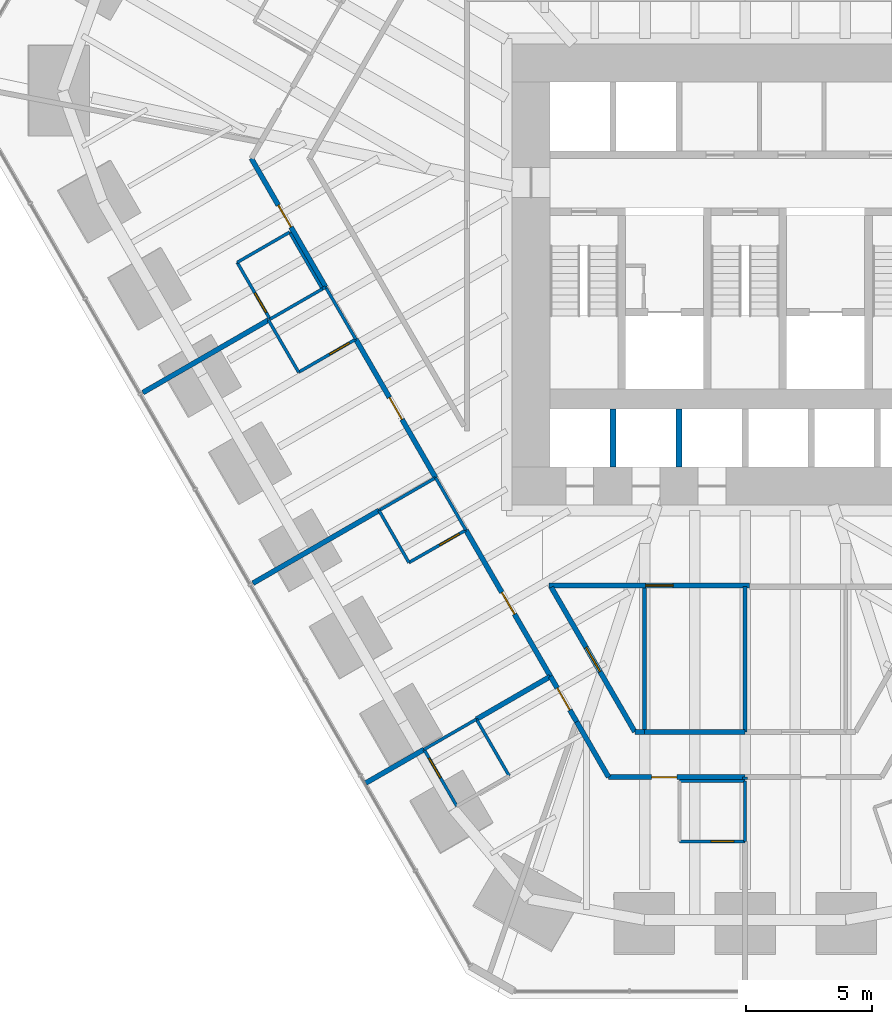
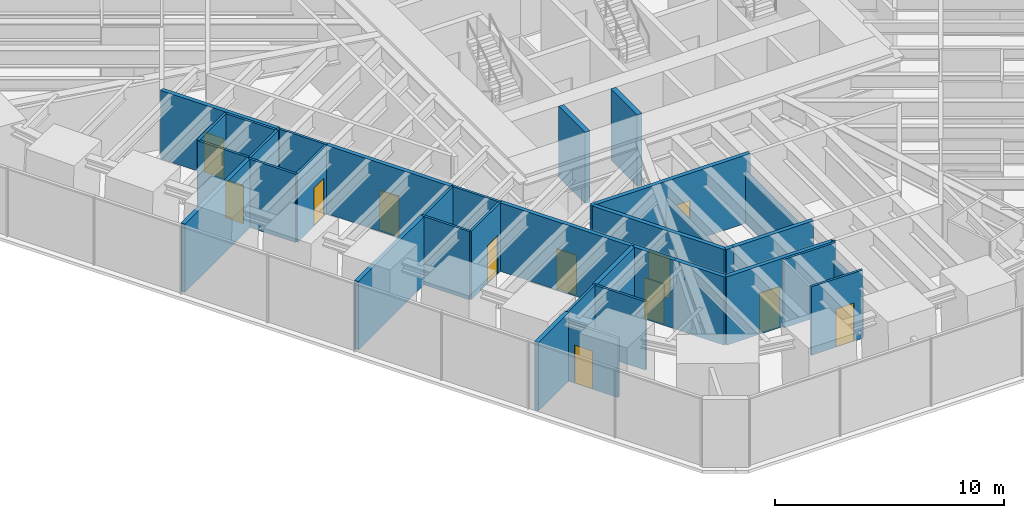
# One storey, part 11 of 17: 37 walls, 12 doors, 12 openings.
"""IFC4 building model written with IfcOpenShell, lengths in metres."""

from ifc_helpers import new_model, si_unit, direction, frame, frame_2d, origin, place, context, subcontext, project, spatial, rectangle, extrude, material, layer, layer_set, type_object, element, fill, save


model = new_model("IFC4")

# Units and contexts
model_context = context("Model", 3, precision=1e-05, world=origin(), true_north=direction((0.0, 1.0)))
body_context = subcontext(model_context, "Body", "Model", "MODEL_VIEW")
ifc_project = project(units=[si_unit("LENGTHUNIT", "METRE"), si_unit("AREAUNIT", "SQUARE_METRE"), si_unit("VOLUMEUNIT", "CUBIC_METRE"), si_unit("PLANEANGLEUNIT", "RADIAN"), si_unit("MASSUNIT", "GRAM", prefix="KILO")], contexts=[model_context])

# Site, building, storey
site_placement = place(None, origin())
site = spatial("IfcSite", under=ifc_project, at=site_placement, CompositionType="ELEMENT")
building_placement = place(site_placement, origin())
building = spatial("IfcBuilding", under=site, at=building_placement, Name="Sandreach Pilgrim Tower", CompositionType="ELEMENT")
storey_placement = place(building_placement, frame((0.0, 0.0, 87.60009765625)))
storey = spatial("IfcBuildingStorey", under=building, at=storey_placement, Name="L21", CompositionType="ELEMENT", Elevation=87.60009765625)

# Walls
ifc_material_1 = material(Name="Gypsum board on steel studs", Category="steel")
ifc_layer_1 = layer(ifc_material_1, 0.14990234375)
ifc_layer_set_1 = layer_set([ifc_layer_1], Name="Back of house wall 150")
wall_type_1 = type_object("IfcWallType", Name="Back of house wall 150", PredefinedType="PARTITIONING", material=ifc_layer_set_1)
wall_1_placement = place(storey_placement, frame((-4.0, -14.0, 0.0), z_axis=(0.0, 0.0, 1.0), x_axis=(0.0, -1.0, 0.0)))
element("IfcWall", 1, at=wall_1_placement, inside=storey, type_object=wall_type_1, Name="Back of house wall L21-062", PredefinedType="PARTITIONING", context=body_context, shape_type="SweptSolid", body=[
    extrude(rectangle(XDim=5.7099609375, YDim=0.14990234375, at=frame_2d((2.85498046875, 0.0))), origin(), (0.0, 0.0, 1.0), 2.712890625),
])
wall_2_placement = place(storey_placement, frame((0.0, -13.949951171875, 0.0), z_axis=(0.0, 0.0, 1.0), x_axis=(0.0, -1.0, 0.0)))
element("IfcWall", 2, at=wall_2_placement, inside=storey, type_object=wall_type_1, Name="Back of house wall L21-075", PredefinedType="PARTITIONING", context=body_context, shape_type="SweptSolid", body=[
    extrude(rectangle(XDim=5.760009765625, YDim=0.14990234375, at=frame_2d((2.8798828125, 0.0))), origin(), (0.0, 0.0, 1.0), 2.712890625),
])

# Wall, opening, door
ifc_material_2 = material(Name="Moisture-resistant gypsum board on steel studs", Category="steel")
ifc_layer_2 = layer(ifc_material_2, 0.1201171875)
ifc_layer_set_2 = layer_set([ifc_layer_2], Name="Bathroom partition 120")
wall_type_2 = type_object("IfcWallType", Name="Bathroom partition 120", PredefinedType="PARTITIONING", material=ifc_layer_set_2)
wall_3_placement = place(storey_placement, frame((-20.169921875, -1.070068359375, 0.0), z_axis=(0.0, 0.0, 1.0), x_axis=(0.500291685314, -0.865856933682, 0.0)))
wall_3 = element("IfcWall", 3, at=wall_3_placement, inside=storey, type_object=wall_type_2, Name="Bathroom partition L21-005", PredefinedType="PARTITIONING", context=body_context, shape_type="SweptSolid", body=[
    extrude(rectangle(XDim=2.5986328125, YDim=0.1201171875, at=frame_2d((1.29931640625, 0.0))), origin(), (0.0, 0.0, 1.0), 3.639892578125),
])
opening_1_placement = place(wall_3_placement, frame((1.398681640625, 0.0, 0.0)))
opening_1 = element("IfcOpeningElement", 4, at=opening_1_placement, cuts=wall_3, Name="Opening D09-16B", PredefinedType="OPENING", context=body_context, shape_type="SweptSolid", body=[
    extrude(rectangle(XDim=0.89990234375, YDim=2.030029296875, at=frame_2d((0.449951171875, 1.01513671875))), frame((0.0, 0.06005859375, 0.0), z_axis=(0.0, -1.0, 0.0), x_axis=(1.0, 0.0, 0.0)), (0.0, 0.0, 1.0), 0.1201171875),
])
ifc_material_3 = material(Name="Timber door, steel frame", Category="steel")
door_type_1 = type_object("IfcDoorType", Name="Bathroom door", OperationType="SINGLE_SWING_LEFT", PredefinedType="DOOR", material=ifc_material_3)
door_1_placement = place(opening_1_placement, origin())
door_1 = element("IfcDoor", 5, at=door_1_placement, inside=storey, type_object=door_type_1, Name="Door 2116B", OperationType="SINGLE_SWING_RIGHT", OverallHeight=2.030029296875, OverallWidth=0.89990234375, PredefinedType="DOOR", context=body_context, shape_type="SweptSolid", body=[
    extrude(rectangle(XDim=0.89990234375, YDim=2.030029296875, at=frame_2d((0.449951171875, 1.01513671875))), frame((0.0, 0.02490234375, 0.0), z_axis=(0.0, -1.0, 0.0), x_axis=(1.0, 0.0, 0.0)), (0.0, 0.0, 1.0), 0.050048828125),
])
fill(opening_1, door_1)

# Walls
wall_4_placement = place(storey_placement, frame((-18.929931640625, -3.360107421875, 0.0), z_axis=(0.0, 0.0, 1.0), x_axis=(0.501547039172, -0.865130376012, 0.0)))
element("IfcWall", 6, at=wall_4_placement, inside=storey, type_object=wall_type_2, Name="Bathroom partition L21-011", PredefinedType="PARTITIONING", context=body_context, shape_type="SweptSolid", body=[
    extrude(rectangle(XDim=2.392578125, YDim=0.1201171875, at=frame_2d((1.1962890625, 0.0))), origin(), (0.0, 0.0, 1.0), 3.639892578125),
])
wall_5_placement = place(storey_placement, frame((-18.86767578125, -3.323974609375, 0.0), z_axis=(0.0, 0.0, 1.0), x_axis=(0.866133109688, 0.499813401482, 0.0)))
element("IfcWall", 7, at=wall_5_placement, inside=storey, type_object=wall_type_2, Name="Bathroom partition L21-012", PredefinedType="PARTITIONING", context=body_context, shape_type="SweptSolid", body=[
    extrude(rectangle(XDim=2.4013671875, YDim=0.1201171875, at=frame_2d((1.20068359375, 0.0))), origin(), (0.0, 0.0, 1.0), 3.639892578125),
])
wall_6_placement = place(storey_placement, frame((-18.090087890625, 0.1298828125, 0.0), z_axis=(0.0, 0.0, 1.0), x_axis=(-0.866177122335, -0.499737123639, 0.0)))
element("IfcWall", 8, at=wall_6_placement, inside=storey, type_object=wall_type_2, Name="Bathroom partition L21-015", PredefinedType="PARTITIONING", context=body_context, shape_type="SweptSolid", body=[
    extrude(rectangle(XDim=2.401123046875, YDim=0.1201171875, at=frame_2d((1.20068359375, 0.0))), origin(), (0.0, 0.0, 1.0), 3.639892578125),
])

# Wall, opening, door
wall_7_placement = place(storey_placement, frame((-17.72998046875, -5.429931640625, 0.0), z_axis=(0.0, 0.0, 1.0), x_axis=(0.866114241029, 0.499846097802, 0.0)))
wall_7 = element("IfcWall", 9, at=wall_7_placement, inside=storey, type_object=wall_type_2, Name="Bathroom partition L21-016", PredefinedType="PARTITIONING", context=body_context, shape_type="SweptSolid", body=[
    extrude(rectangle(XDim=2.620849609375, YDim=0.1201171875, at=frame_2d((1.310546875, 0.0))), origin(), (0.0, 0.0, 1.0), 3.639892578125),
])
opening_2_placement = place(wall_7_placement, frame((1.4208984375, 0.0, 0.0)))
opening_2 = element("IfcOpeningElement", 10, at=opening_2_placement, cuts=wall_7, Name="Opening D09-15B", PredefinedType="OPENING", context=body_context, shape_type="SweptSolid", body=[
    extrude(rectangle(XDim=0.89990234375, YDim=2.030029296875, at=frame_2d((0.449951171875, 1.01513671875))), frame((0.0, 0.06005859375, 0.0), z_axis=(0.0, -1.0, 0.0), x_axis=(1.0, 0.0, 0.0)), (0.0, 0.0, 1.0), 0.1201171875),
])
door_2_placement = place(opening_2_placement, origin())
door_2 = element("IfcDoor", 11, at=door_2_placement, inside=storey, type_object=door_type_1, Name="Door 2115B", OperationType="SINGLE_SWING_RIGHT", OverallHeight=2.030029296875, OverallWidth=0.89990234375, PredefinedType="DOOR", context=body_context, shape_type="SweptSolid", body=[
    extrude(rectangle(XDim=0.89990234375, YDim=2.030029296875, at=frame_2d((0.449951171875, 1.01513671875))), frame((0.0, 0.02490234375, 0.0), z_axis=(0.0, -1.0, 0.0), x_axis=(1.0, 0.0, 0.0)), (0.0, 0.0, 1.0), 0.050048828125),
])
fill(opening_2, door_2)

# Walls
wall_8_placement = place(storey_placement, frame((-16.7900390625, -2.1201171875, 0.0), z_axis=(0.0, 0.0, 1.0), x_axis=(-0.50025099007, 0.865880446098, 0.0)))
element("IfcWall", 12, at=wall_8_placement, inside=storey, type_object=wall_type_2, Name="Bathroom partition L21-020", PredefinedType="PARTITIONING", context=body_context, shape_type="SweptSolid", body=[
    extrude(rectangle(XDim=2.598876953125, YDim=0.1201171875, at=frame_2d((1.29931640625, 0.0))), origin(), (0.0, 0.0, 1.0), 3.639892578125),
])
wall_9_placement = place(storey_placement, frame((-16.787841796875, -2.123779296875, 0.0), z_axis=(0.0, 0.0, 1.0), x_axis=(0.866405716731, 0.499340699338, 0.0)))
element("IfcWall", 13, at=wall_9_placement, inside=storey, type_object=wall_type_2, Name="Bathroom partition L21-021", PredefinedType="PARTITIONING", context=body_context, shape_type="SweptSolid", body=[
    extrude(rectangle(XDim=0.147705078125, YDim=0.1201171875, at=frame_2d((0.07373046875, 0.0))), origin(), (0.0, 0.0, 1.0), 3.639892578125),
])
wall_10_placement = place(storey_placement, frame((-16.659912109375, -2.050048828125, 0.0), z_axis=(0.0, 0.0, 1.0), x_axis=(0.501502765098, -0.865156041763, 0.0)))
element("IfcWall", 14, at=wall_10_placement, inside=storey, type_object=wall_type_2, Name="Bathroom partition L21-022", PredefinedType="PARTITIONING", context=body_context, shape_type="SweptSolid", body=[
    extrude(rectangle(XDim=2.392822265625, YDim=0.1201171875, at=frame_2d((1.1962890625, 0.0))), origin(), (0.0, 0.0, 1.0), 3.639892578125),
])
wall_11_placement = place(storey_placement, frame((-14.5400390625, -10.919921875, 0.0), z_axis=(0.0, 0.0, 1.0), x_axis=(0.49836161924, -0.866969259241, 0.0)))
element("IfcWall", 15, at=wall_11_placement, inside=storey, type_object=wall_type_2, Name="Bathroom partition L21-029", PredefinedType="PARTITIONING", context=body_context, shape_type="SweptSolid", body=[
    extrude(rectangle(XDim=2.3876953125, YDim=0.1201171875, at=frame_2d((1.19384765625, 0.0))), origin(), (0.0, 0.0, 1.0), 3.639892578125),
])
wall_12_placement = place(storey_placement, frame((-14.5400390625, -10.919921875, 0.0), z_axis=(0.0, 0.0, 1.0), x_axis=(0.865897630733, 0.500221244143, 0.0)))
element("IfcWall", 16, at=wall_12_placement, inside=storey, type_object=wall_type_2, Name="Bathroom partition L21-030", PredefinedType="PARTITIONING", context=body_context, shape_type="SweptSolid", body=[
    extrude(rectangle(XDim=2.598388671875, YDim=0.1201171875, at=frame_2d((1.29931640625, 0.0))), origin(), (0.0, 0.0, 1.0), 3.639892578125),
])

# Wall, opening, door
wall_13_placement = place(storey_placement, frame((-13.35009765625, -12.989990234375, 0.0), z_axis=(0.0, 0.0, 1.0), x_axis=(0.868473984885, 0.49573474518, 0.0)))
wall_13 = element("IfcWall", 17, at=wall_13_placement, inside=storey, type_object=wall_type_2, Name="Bathroom partition L21-033", PredefinedType="PARTITIONING", context=body_context, shape_type="SweptSolid", body=[
    extrude(rectangle(XDim=2.602294921875, YDim=0.1201171875, at=frame_2d((1.30126953125, 0.0))), origin(), (0.0, 0.0, 1.0), 3.639892578125),
])
opening_3_placement = place(wall_13_placement, frame((1.402099609375, 0.0, 0.0)))
opening_3 = element("IfcOpeningElement", 18, at=opening_3_placement, cuts=wall_13, Name="Opening D09-14B", PredefinedType="OPENING", context=body_context, shape_type="SweptSolid", body=[
    extrude(rectangle(XDim=0.89990234375, YDim=2.030029296875, at=frame_2d((0.449951171875, 1.01513671875))), frame((0.0, 0.06005859375, 0.0), z_axis=(0.0, -1.0, 0.0), x_axis=(1.0, 0.0, 0.0)), (0.0, 0.0, 1.0), 0.1201171875),
])
door_3_placement = place(opening_3_placement, origin())
door_3 = element("IfcDoor", 19, at=door_3_placement, inside=storey, type_object=door_type_1, Name="Door 2114B", OperationType="SINGLE_SWING_RIGHT", OverallHeight=2.030029296875, OverallWidth=0.89990234375, PredefinedType="DOOR", context=body_context, shape_type="SweptSolid", body=[
    extrude(rectangle(XDim=0.89990234375, YDim=2.030029296875, at=frame_2d((0.449951171875, 1.01513671875))), frame((0.0, 0.02490234375, 0.0), z_axis=(0.0, -1.0, 0.0), x_axis=(1.0, 0.0, 0.0)), (0.0, 0.0, 1.0), 0.050048828125),
])
fill(opening_3, door_3)

wall_14_placement = place(storey_placement, frame((-12.75, -20.409912109375, 0.0), z_axis=(0.0, 0.0, 1.0), x_axis=(0.50025099007, -0.865880446098, 0.0)))
wall_14 = element("IfcWall", 20, at=wall_14_placement, inside=storey, type_object=wall_type_2, Name="Bathroom partition L21-034", PredefinedType="PARTITIONING", context=body_context, shape_type="SweptSolid", body=[
    extrude(rectangle(XDim=2.598876953125, YDim=0.1201171875, at=frame_2d((1.29931640625, 0.0))), origin(), (0.0, 0.0, 1.0), 3.14208984375),
])
opening_4_placement = place(wall_14_placement, frame((0.39990234375, 0.0, 0.0)))
opening_4 = element("IfcOpeningElement", 21, at=opening_4_placement, cuts=wall_14, Name="Opening D09-13B", PredefinedType="OPENING", context=body_context, shape_type="SweptSolid", body=[
    extrude(rectangle(XDim=0.89990234375, YDim=2.030029296875, at=frame_2d((0.449951171875, 1.01513671875))), frame((0.0, 0.06005859375, 0.0), z_axis=(0.0, -1.0, 0.0), x_axis=(1.0, 0.0, 0.0)), (0.0, 0.0, 1.0), 0.1201171875),
])
door_4_placement = place(opening_4_placement, origin())
door_4 = element("IfcDoor", 22, at=door_4_placement, inside=storey, type_object=door_type_1, Name="Door 2113B", OperationType="SINGLE_SWING_LEFT", OverallHeight=2.030029296875, OverallWidth=0.89990234375, PredefinedType="DOOR", context=body_context, shape_type="SweptSolid", body=[
    extrude(rectangle(XDim=0.89990234375, YDim=2.030029296875, at=frame_2d((0.449951171875, 1.01513671875))), frame((0.0, 0.02490234375, 0.0), z_axis=(0.0, -1.0, 0.0), x_axis=(1.0, 0.0, 0.0)), (0.0, 0.0, 1.0), 0.050048828125),
])
fill(opening_4, door_4)

# Walls
wall_15_placement = place(storey_placement, frame((-12.75, -20.409912109375, 0.0), z_axis=(0.0, 0.0, 1.0), x_axis=(0.866202511239, 0.499693115345, 0.0)))
element("IfcWall", 23, at=wall_15_placement, inside=storey, type_object=wall_type_2, Name="Bathroom partition L21-035", PredefinedType="PARTITIONING", context=body_context, shape_type="SweptSolid", body=[
    extrude(rectangle(XDim=2.4013671875, YDim=0.1201171875, at=frame_2d((1.20068359375, 0.0))), origin(), (0.0, 0.0, 1.0), 3.639892578125),
])
wall_16_placement = place(storey_placement, frame((-12.2900390625, -9.6201171875, 0.0), z_axis=(0.0, 0.0, 1.0), x_axis=(0.499737123639, -0.866177122335, 0.0)))
element("IfcWall", 24, at=wall_16_placement, inside=storey, type_object=wall_type_2, Name="Bathroom partition L21-039", PredefinedType="PARTITIONING", context=body_context, shape_type="SweptSolid", body=[
    extrude(rectangle(XDim=2.401123046875, YDim=0.1201171875, at=frame_2d((1.20068359375, 0.0))), origin(), (0.0, 0.0, 1.0), 3.639892578125),
])
wall_17_placement = place(storey_placement, frame((-9.3701171875, -21.4599609375, 0.0), z_axis=(0.0, 0.0, 1.0), x_axis=(-0.500221244143, 0.865897630733, 0.0)))
element("IfcWall", 25, at=wall_17_placement, inside=storey, type_object=wall_type_2, Name="Bathroom partition L21-051", PredefinedType="PARTITIONING", context=body_context, shape_type="SweptSolid", body=[
    extrude(rectangle(XDim=2.598388671875, YDim=0.1201171875, at=frame_2d((1.29931640625, 0.0))), origin(), (0.0, 0.0, 1.0), 3.639892578125),
])

# Wall, opening, door
wall_18_placement = place(storey_placement, frame((-2.60009765625, -24.06005859375, 0.0), z_axis=(0.0, 0.0, 1.0), x_axis=(1.0, 0.0, 0.0)))
wall_18 = element("IfcWall", 26, at=wall_18_placement, inside=storey, type_object=wall_type_2, Name="Bathroom partition L21-063", PredefinedType="PARTITIONING", context=body_context, shape_type="SweptSolid", body=[
    extrude(rectangle(XDim=2.60009765625, YDim=0.1201171875, at=frame_2d((1.300048828125, 0.0))), origin(), (0.0, 0.0, 1.0), 3.639892578125),
])
opening_5_placement = place(wall_18_placement, frame((1.25, 0.0, 0.0)))
opening_5 = element("IfcOpeningElement", 27, at=opening_5_placement, cuts=wall_18, Name="Opening D09-12B", PredefinedType="OPENING", context=body_context, shape_type="SweptSolid", body=[
    extrude(rectangle(XDim=0.89990234375, YDim=2.030029296875, at=frame_2d((0.449951171875, 1.01513671875))), frame((0.0, 0.06005859375, 0.0), z_axis=(0.0, -1.0, 0.0), x_axis=(1.0, 0.0, 0.0)), (0.0, 0.0, 1.0), 0.1201171875),
])
door_5_placement = place(opening_5_placement, origin())
door_5 = element("IfcDoor", 28, at=door_5_placement, inside=storey, type_object=door_type_1, Name="Door 2112B", OperationType="SINGLE_SWING_RIGHT", OverallHeight=2.030029296875, OverallWidth=0.89990234375, PredefinedType="DOOR", context=body_context, shape_type="SweptSolid", body=[
    extrude(rectangle(XDim=0.89990234375, YDim=2.030029296875, at=frame_2d((0.449951171875, 1.01513671875))), frame((0.0, 0.02490234375, 0.0), z_axis=(0.0, -1.0, 0.0), x_axis=(1.0, 0.0, 0.0)), (0.0, 0.0, 1.0), 0.050048828125),
])
fill(opening_5, door_5)

# Walls
wall_19_placement = place(storey_placement, frame((0.0, -24.06005859375, 0.0), z_axis=(0.0, 0.0, 1.0), x_axis=(0.0, 1.0, 0.0)))
element("IfcWall", 29, at=wall_19_placement, inside=storey, type_object=wall_type_2, Name="Bathroom partition L21-070", PredefinedType="PARTITIONING", context=body_context, shape_type="SweptSolid", body=[
    extrude(rectangle(XDim=2.400146484375, YDim=0.1201171875, at=frame_2d((1.2001953125, 0.0))), origin(), (0.0, 0.0, 1.0), 2.712890625),
])
wall_20_placement = place(storey_placement, frame((0.0, -21.659912109375, 0.0), z_axis=(0.0, 0.0, 1.0), x_axis=(-1.0, 0.0, 0.0)))
element("IfcWall", 30, at=wall_20_placement, inside=storey, type_object=wall_type_2, Name="Bathroom partition L21-071", PredefinedType="PARTITIONING", context=body_context, shape_type="SweptSolid", body=[
    extrude(rectangle(XDim=2.60009765625, YDim=0.1201171875, at=frame_2d((1.300048828125, 0.0))), origin(), (0.0, 0.0, 1.0), 3.639892578125),
])

# Wall, opening, door
ifc_material_4 = material(Name="Gypsum board on steel studs, two layers each side", Category="steel")
ifc_layer_3 = layer(ifc_material_4, 0.199951171875)
ifc_layer_set_3 = layer_set([ifc_layer_3], Name="Corridor wall 200")
wall_type_3 = type_object("IfcWallType", Name="Corridor wall 200", PredefinedType="PARTITIONING", material=ifc_layer_set_3)
wall_21_placement = place(storey_placement, frame((-19.610107421875, 3.06005859375, 0.0), z_axis=(0.0, 0.0, 1.0), x_axis=(0.499983910424, -0.866034692906, 0.0)))
wall_21 = element("IfcWall", 31, at=wall_21_placement, inside=storey, type_object=wall_type_3, Name="Corridor wall L21-007", PredefinedType="PARTITIONING", context=body_context, shape_type="SweptSolid", body=[
    extrude(rectangle(XDim=5.900634765625, YDim=0.199951171875, at=frame_2d((2.9501953125, 0.0))), origin(), (0.0, 0.0, 1.0), 3.639892578125),
])
opening_6_placement = place(wall_21_placement, frame((2.14990234375, 0.0, 0.0)))
opening_6 = element("IfcOpeningElement", 32, at=opening_6_placement, cuts=wall_21, Name="Opening D10-16", PredefinedType="OPENING", context=body_context, shape_type="SweptSolid", body=[
    extrude(rectangle(XDim=1.0, YDim=2.1298828125, at=frame_2d((0.5, 1.06494140625))), frame((0.0, 0.10009765625, 0.0), z_axis=(0.0, -1.0, 0.0), x_axis=(1.0, 0.0, 0.0)), (0.0, 0.0, 1.0), 0.199951171875),
])
ifc_material_5 = material(Name="Steel door and frame", Category="steel")
door_type_2 = type_object("IfcDoorType", Name="Guest room entry door", OperationType="SINGLE_SWING_LEFT", PredefinedType="DOOR", material=ifc_material_5)
door_6_placement = place(opening_6_placement, origin())
door_6 = element("IfcDoor", 33, at=door_6_placement, inside=storey, type_object=door_type_2, Name="Door 2116", OperationType="SINGLE_SWING_LEFT", OverallHeight=2.1298828125, OverallWidth=1.0, PredefinedType="DOOR", context=body_context, shape_type="SweptSolid", body=[
    extrude(rectangle(XDim=1.0, YDim=2.1298828125, at=frame_2d((0.5, 1.06494140625))), frame((0.0, 0.02490234375, 0.0), z_axis=(0.0, -1.0, 0.0), x_axis=(1.0, 0.0, 0.0)), (0.0, 0.0, 1.0), 0.050048828125),
])
fill(opening_6, door_6)

wall_22_placement = place(storey_placement, frame((-15.4599609375, -4.1201171875, 0.0), z_axis=(0.0, 0.0, 1.0), x_axis=(0.499349514416, -0.866400636226, 0.0)))
wall_22 = element("IfcWall", 34, at=wall_22_placement, inside=storey, type_object=wall_type_3, Name="Corridor wall L21-025", PredefinedType="PARTITIONING", context=body_context, shape_type="SweptSolid", body=[
    extrude(rectangle(XDim=6.34814453125, YDim=0.199951171875, at=frame_2d((3.174072265625, 0.0))), origin(), (0.0, 0.0, 1.0), 3.639892578125),
])
opening_7_placement = place(wall_22_placement, frame((2.674072265625, 0.0, 0.0)))
opening_7 = element("IfcOpeningElement", 35, at=opening_7_placement, cuts=wall_22, Name="Opening D10-15", PredefinedType="OPENING", context=body_context, shape_type="SweptSolid", body=[
    extrude(rectangle(XDim=1.0, YDim=2.1298828125, at=frame_2d((0.5, 1.06494140625))), frame((0.0, 0.10009765625, 0.0), z_axis=(0.0, -1.0, 0.0), x_axis=(1.0, 0.0, 0.0)), (0.0, 0.0, 1.0), 0.199951171875),
])
door_7_placement = place(opening_7_placement, origin())
door_7 = element("IfcDoor", 36, at=door_7_placement, inside=storey, type_object=door_type_2, Name="Door 2115", OperationType="SINGLE_SWING_LEFT", OverallHeight=2.1298828125, OverallWidth=1.0, PredefinedType="DOOR", context=body_context, shape_type="SweptSolid", body=[
    extrude(rectangle(XDim=1.0, YDim=2.1298828125, at=frame_2d((0.5, 1.06494140625))), frame((0.0, 0.02490234375, 0.0), z_axis=(0.0, -1.0, 0.0), x_axis=(1.0, 0.0, 0.0)), (0.0, 0.0, 1.0), 0.050048828125),
])
fill(opening_7, door_7)

wall_23_placement = place(storey_placement, frame((-11.090087890625, -11.699951171875, 0.0), z_axis=(0.0, 0.0, 1.0), x_axis=(0.500633295611, -0.865659461524, 0.0)))
wall_23 = element("IfcWall", 37, at=wall_23_placement, inside=storey, type_object=wall_type_3, Name="Corridor wall L21-044", PredefinedType="PARTITIONING", context=body_context, shape_type="SweptSolid", body=[
    extrude(rectangle(XDim=6.711669921875, YDim=0.199951171875, at=frame_2d((3.35595703125, 0.0))), origin(), (0.0, 0.0, 1.0), 3.639892578125),
])
opening_8_placement = place(wall_23_placement, frame((2.855712890625, 0.0, 0.0)))
opening_8 = element("IfcOpeningElement", 38, at=opening_8_placement, cuts=wall_23, Name="Opening D10-14", PredefinedType="OPENING", context=body_context, shape_type="SweptSolid", body=[
    extrude(rectangle(XDim=1.0, YDim=2.1298828125, at=frame_2d((0.5, 1.06494140625))), frame((0.0, 0.10009765625, 0.0), z_axis=(0.0, -1.0, 0.0), x_axis=(1.0, 0.0, 0.0)), (0.0, 0.0, 1.0), 0.199951171875),
])
door_8_placement = place(opening_8_placement, origin())
door_8 = element("IfcDoor", 39, at=door_8_placement, inside=storey, type_object=door_type_2, Name="Door 2114", OperationType="SINGLE_SWING_LEFT", OverallHeight=2.1298828125, OverallWidth=1.0, PredefinedType="DOOR", context=body_context, shape_type="SweptSolid", body=[
    extrude(rectangle(XDim=1.0, YDim=2.1298828125, at=frame_2d((0.5, 1.06494140625))), frame((0.0, 0.02490234375, 0.0), z_axis=(0.0, -1.0, 0.0), x_axis=(1.0, 0.0, 0.0)), (0.0, 0.0, 1.0), 0.050048828125),
])
fill(opening_8, door_8)

wall_24_placement = place(storey_placement, frame((-7.72998046875, -17.510009765625, 0.0), z_axis=(0.0, 0.0, 1.0), x_axis=(0.500281510986, -0.865862812324, 0.0)))
wall_24 = element("IfcWall", 40, at=wall_24_placement, inside=storey, type_object=wall_type_3, Name="Corridor wall L21-055", PredefinedType="PARTITIONING", context=body_context, shape_type="SweptSolid", body=[
    extrude(rectangle(XDim=2.078857421875, YDim=0.199951171875, at=frame_2d((1.03955078125, 0.0))), origin(), (0.0, 0.0, 1.0), 3.639892578125),
])
opening_9_placement = place(wall_24_placement, frame((0.539306640625, 0.0, 0.0)))
opening_9 = element("IfcOpeningElement", 41, at=opening_9_placement, cuts=wall_24, Name="Opening D10-13", PredefinedType="OPENING", context=body_context, shape_type="SweptSolid", body=[
    extrude(rectangle(XDim=1.0, YDim=2.1298828125, at=frame_2d((0.5, 1.06494140625))), frame((0.0, 0.10009765625, 0.0), z_axis=(0.0, -1.0, 0.0), x_axis=(1.0, 0.0, 0.0)), (0.0, 0.0, 1.0), 0.199951171875),
])
door_9_placement = place(opening_9_placement, origin())
door_9 = element("IfcDoor", 42, at=door_9_placement, inside=storey, type_object=door_type_2, Name="Door 2113", OperationType="SINGLE_SWING_LEFT", OverallHeight=2.1298828125, OverallWidth=1.0, PredefinedType="DOOR", context=body_context, shape_type="SweptSolid", body=[
    extrude(rectangle(XDim=1.0, YDim=2.1298828125, at=frame_2d((0.5, 1.06494140625))), frame((0.0, 0.02490234375, 0.0), z_axis=(0.0, -1.0, 0.0), x_axis=(1.0, 0.0, 0.0)), (0.0, 0.0, 1.0), 0.050048828125),
])
fill(opening_9, door_9)

# Wall
wall_25_placement = place(storey_placement, frame((-6.68994140625, -19.31005859375, 0.0), z_axis=(0.0, 0.0, 1.0), x_axis=(0.499963722229, -0.866046347752, 0.0)))
element("IfcWall", 43, at=wall_25_placement, inside=storey, type_object=wall_type_3, Name="Corridor wall L21-056", PredefinedType="PARTITIONING", context=body_context, shape_type="SweptSolid", body=[
    extrude(rectangle(XDim=2.540283203125, YDim=0.199951171875, at=frame_2d((1.27001953125, 0.0))), origin(), (0.0, 0.0, 1.0), 3.639892578125),
])

# Wall, opening, door
wall_26_placement = place(storey_placement, frame((-5.419921875, -21.510009765625, 0.0), z_axis=(0.0, 0.0, 1.0), x_axis=(1.0, 0.0, 0.0)))
wall_26 = element("IfcWall", 44, at=wall_26_placement, inside=storey, type_object=wall_type_3, Name="Corridor wall L21-057", PredefinedType="PARTITIONING", context=body_context, shape_type="SweptSolid", body=[
    extrude(rectangle(XDim=5.419921875, YDim=0.199951171875, at=frame_2d((2.7099609375, 0.0))), origin(), (0.0, 0.0, 1.0), 3.639892578125),
])
opening_10_placement = place(wall_26_placement, frame((1.7099609375, 0.0, 0.0)))
opening_10 = element("IfcOpeningElement", 45, at=opening_10_placement, cuts=wall_26, Name="Opening D10-12", PredefinedType="OPENING", context=body_context, shape_type="SweptSolid", body=[
    extrude(rectangle(XDim=1.0, YDim=2.1298828125, at=frame_2d((0.5, 1.06494140625))), frame((0.0, 0.10009765625, 0.0), z_axis=(0.0, -1.0, 0.0), x_axis=(1.0, 0.0, 0.0)), (0.0, 0.0, 1.0), 0.199951171875),
])
door_10_placement = place(opening_10_placement, origin())
door_10 = element("IfcDoor", 46, at=door_10_placement, inside=storey, type_object=door_type_2, Name="Door 2112", OperationType="SINGLE_SWING_LEFT", OverallHeight=2.1298828125, OverallWidth=1.0, PredefinedType="DOOR", context=body_context, shape_type="SweptSolid", body=[
    extrude(rectangle(XDim=1.0, YDim=2.1298828125, at=frame_2d((0.5, 1.06494140625))), frame((0.0, 0.02490234375, 0.0), z_axis=(0.0, -1.0, 0.0), x_axis=(1.0, 0.0, 0.0)), (0.0, 0.0, 1.0), 0.050048828125),
])
fill(opening_10, door_10)

wall_27_placement = place(storey_placement, frame((-4.3798828125, -19.7099609375, 0.0), z_axis=(0.0, 0.0, 1.0), x_axis=(-0.500523653757, 0.865722860984, 0.0)))
wall_27 = element("IfcWall", 47, at=wall_27_placement, inside=storey, type_object=wall_type_3, Name="Corridor wall L21-060", PredefinedType="PARTITIONING", context=body_context, shape_type="SweptSolid", body=[
    extrude(rectangle(XDim=6.62841796875, YDim=0.199951171875, at=frame_2d((3.314208984375, 0.0))), origin(), (0.0, 0.0, 1.0), 3.639892578125),
])
opening_11_placement = place(wall_27_placement, frame((2.76416015625, 0.0, 0.0)))
opening_11 = element("IfcOpeningElement", 48, at=opening_11_placement, cuts=wall_27, Name="Opening D11H-S1", PredefinedType="OPENING", context=body_context, shape_type="SweptSolid", body=[
    extrude(rectangle(XDim=1.10009765625, YDim=2.199951171875, at=frame_2d((0.550048828125, 1.10009765625))), frame((0.0, 0.10009765625, 0.0), z_axis=(0.0, -1.0, 0.0), x_axis=(1.0, 0.0, 0.0)), (0.0, 0.0, 1.0), 0.199951171875),
])
ifc_material_6 = material(Name="Steel door and frame", Category="steel")
door_type_3 = type_object("IfcDoorType", Name="Back of house door", OperationType="SINGLE_SWING_LEFT", PredefinedType="DOOR", material=ifc_material_6)
door_11_placement = place(opening_11_placement, origin())
door_11 = element("IfcDoor", 49, at=door_11_placement, inside=storey, type_object=door_type_3, Name="Door 21S1", OperationType="SINGLE_SWING_LEFT", OverallHeight=2.199951171875, OverallWidth=1.10009765625, PredefinedType="DOOR", context=body_context, shape_type="SweptSolid", body=[
    extrude(rectangle(XDim=1.10009765625, YDim=2.199951171875, at=frame_2d((0.550048828125, 1.10009765625))), frame((0.0, 0.02490234375, 0.0), z_axis=(0.0, -1.0, 0.0), x_axis=(1.0, 0.0, 0.0)), (0.0, 0.0, 1.0), 0.050048828125),
])
fill(opening_11, door_11)

# Walls
wall_28_placement = place(storey_placement, frame((-4.0, -19.7099609375, 0.0), z_axis=(0.0, 0.0, 1.0), x_axis=(-1.0, 0.0, 0.0)))
element("IfcWall", 50, at=wall_28_placement, inside=storey, type_object=wall_type_3, Name="Corridor wall L21-061", PredefinedType="PARTITIONING", context=body_context, shape_type="SweptSolid", body=[
    extrude(rectangle(XDim=0.3798828125, YDim=0.199951171875, at=frame_2d((0.18994140625, 0.0))), origin(), (0.0, 0.0, 1.0), 3.639892578125),
])
wall_29_placement = place(storey_placement, frame((0.0, -19.7099609375, 0.0), z_axis=(0.0, 0.0, 1.0), x_axis=(-1.0, 0.0, 0.0)))
element("IfcWall", 51, at=wall_29_placement, inside=storey, type_object=wall_type_3, Name="Corridor wall L21-074", PredefinedType="PARTITIONING", context=body_context, shape_type="SweptSolid", body=[
    extrude(rectangle(XDim=4.0, YDim=0.199951171875, at=frame_2d((2.0, 0.0))), origin(), (0.0, 0.0, 1.0), 3.639892578125),
])

# Wall, opening, door
wall_30_placement = place(storey_placement, frame((0.179931640625, -13.89990234375, 0.0), z_axis=(0.0, 0.0, 1.0), x_axis=(-1.0, 0.0, 0.0)))
wall_30 = element("IfcWall", 52, at=wall_30_placement, inside=storey, type_object=wall_type_3, Name="Corridor wall L21-080", PredefinedType="PARTITIONING", context=body_context, shape_type="SweptSolid", body=[
    extrude(rectangle(XDim=7.969970703125, YDim=0.199951171875, at=frame_2d((3.98486328125, 0.0))), origin(), (0.0, 0.0, 1.0), 3.639892578125),
])
opening_12_placement = place(wall_30_placement, frame((3.034912109375, 0.0, 0.0)))
opening_12 = element("IfcOpeningElement", 53, at=opening_12_placement, cuts=wall_30, Name="Opening D11H-S2", PredefinedType="OPENING", context=body_context, shape_type="SweptSolid", body=[
    extrude(rectangle(XDim=1.10009765625, YDim=2.199951171875, at=frame_2d((0.550048828125, 1.10009765625))), frame((0.0, 0.10009765625, 0.0), z_axis=(0.0, -1.0, 0.0), x_axis=(1.0, 0.0, 0.0)), (0.0, 0.0, 1.0), 0.199951171875),
])
door_12_placement = place(opening_12_placement, origin())
door_12 = element("IfcDoor", 54, at=door_12_placement, inside=storey, type_object=door_type_3, Name="Door 21S2", OperationType="SINGLE_SWING_LEFT", OverallHeight=2.199951171875, OverallWidth=1.10009765625, PredefinedType="DOOR", context=body_context, shape_type="SweptSolid", body=[
    extrude(rectangle(XDim=1.10009765625, YDim=2.199951171875, at=frame_2d((0.550048828125, 1.10009765625))), frame((0.0, 0.02490234375, 0.0), z_axis=(0.0, -1.0, 0.0), x_axis=(1.0, 0.0, 0.0)), (0.0, 0.0, 1.0), 0.050048828125),
])
fill(opening_12, door_12)

# Walls
ifc_material_7 = material(Name="Double steel stud acoustic wall, gypsum board", Category="steel")
ifc_layer_4 = layer(ifc_material_7, 0.199951171875)
ifc_layer_set_4 = layer_set([ifc_layer_4], Name="Party wall 200")
wall_type_4 = type_object("IfcWallType", Name="Party wall 200", PredefinedType="PARTITIONING", material=ifc_layer_set_4)
wall_31_placement = place(storey_placement, frame((-23.916015625, -6.239990234375, 0.0), z_axis=(0.0, 0.0, 1.0), x_axis=(0.865919350456, 0.50018364478, 0.0)))
element("IfcWall", 55, at=wall_31_placement, inside=storey, type_object=wall_type_4, Name="Party wall L21-003", PredefinedType="PARTITIONING", context=body_context, shape_type="SweptSolid", body=[
    extrude(rectangle(XDim=5.758056640625, YDim=0.199951171875, at=frame_2d((2.87890625, 0.0))), origin(), (0.0, 0.0, 1.0), 3.639892578125),
])
wall_32_placement = place(storey_placement, frame((-19.546142578125, -13.81005859375, 0.0), z_axis=(0.0, 0.0, 1.0), x_axis=(0.866035778077, 0.499982030767, 0.0)))
element("IfcWall", 56, at=wall_32_placement, inside=storey, type_object=wall_type_4, Name="Party wall L21-008", PredefinedType="PARTITIONING", context=body_context, shape_type="SweptSolid", body=[
    extrude(rectangle(XDim=5.780517578125, YDim=0.199951171875, at=frame_2d((2.89013671875, 0.0))), origin(), (0.0, 0.0, 1.0), 3.639892578125),
])
wall_33_placement = place(storey_placement, frame((-15.06396484375, -21.7451171875, 0.0), z_axis=(0.0, 0.0, 1.0), x_axis=(0.866149070221, 0.499785742249, 0.0)))
element("IfcWall", 57, at=wall_33_placement, inside=storey, type_object=wall_type_4, Name="Party wall L21-028", PredefinedType="PARTITIONING", context=body_context, shape_type="SweptSolid", body=[
    extrude(rectangle(XDim=2.671630859375, YDim=0.199951171875, at=frame_2d((1.3359375, 0.0))), origin(), (0.0, 0.0, 1.0), 3.639892578125),
])
wall_34_placement = place(storey_placement, frame((-10.669921875, -19.2099609375, 0.0), z_axis=(0.0, 0.0, 1.0), x_axis=(0.865707941605, 0.500549457937, 0.0)))
element("IfcWall", 58, at=wall_34_placement, inside=storey, type_object=wall_type_4, Name="Party wall L21-046", PredefinedType="PARTITIONING", context=body_context, shape_type="SweptSolid", body=[
    extrude(rectangle(XDim=3.381103515625, YDim=0.199951171875, at=frame_2d((1.6904296875, 0.0))), origin(), (0.0, 0.0, 1.0), 3.639892578125),
])
wall_35_placement = place(storey_placement, frame((0.0, -21.60009765625, 0.0), z_axis=(0.0, 0.0, 1.0), x_axis=(0.0, 1.0, 0.0)))
element("IfcWall", 59, at=wall_35_placement, inside=storey, type_object=wall_type_4, Name="Party wall L21-072", PredefinedType="PARTITIONING", context=body_context, shape_type="SweptSolid", body=[
    extrude(rectangle(XDim=0.090087890625, YDim=0.199951171875, at=frame_2d((0.044921875, 0.0))), origin(), (0.0, 0.0, 1.0), 3.639892578125),
])
ifc_material_8 = material(Name="Gypsum shaft wall on steel studs, two layers of shaft liner board", Category="steel")
ifc_layer_5 = layer(ifc_material_8, 0.25)
ifc_layer_set_5 = layer_set([ifc_layer_5], Name="Shaft partition 250")
wall_type_5 = type_object("IfcWallType", Name="Shaft partition 250", PredefinedType="PARTITIONING", material=ifc_layer_set_5)
for number, where, z_axis, x_axis, name in (
    (60, (-5.25, -9.199951171875, 0.0), (0.0, 0.0, 1.0), (0.0, 1.0, 0.0), "Shaft partition XS0 L21"),
    (61, (-2.625, -9.199951171875, 0.0), (0.0, 0.0, 1.0), (0.0, 1.0, 0.0), "Shaft partition XS1 L21"),
):
    element("IfcWall", number, at=place(storey_placement, frame(where, z_axis=z_axis, x_axis=x_axis)), inside=storey, type_object=wall_type_5, Name=name, PredefinedType="PARTITIONING", context=body_context, shape_type="SweptSolid", body=[
        extrude(rectangle(XDim=2.300048828125, YDim=0.25, at=frame_2d((1.14990234375, 0.0))), origin(), (0.0, 0.0, 1.0), 3.7998046875),
    ])

save(model, "model.ifc")
